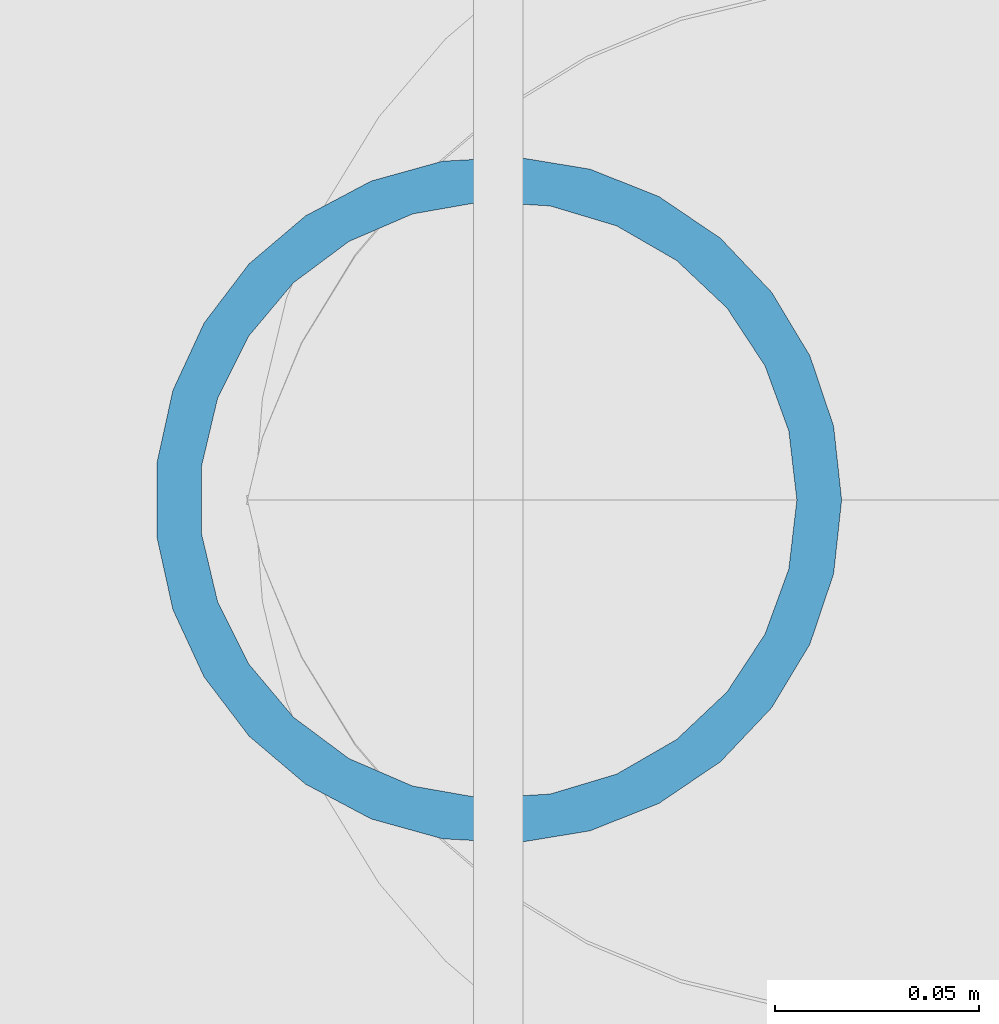
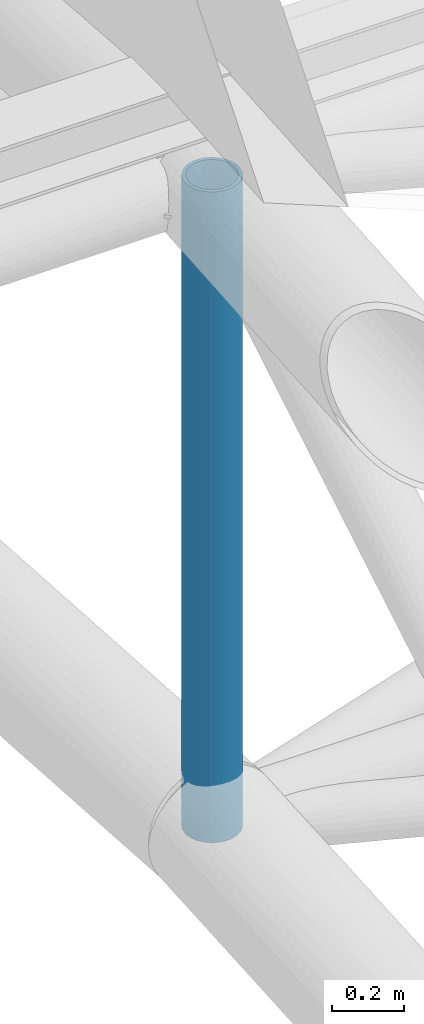
# One storey, part 35 of 110: 1 member.
"""IFC4 building model written with IfcOpenShell, lengths in metres."""

from ifc_helpers import new_model, si_unit, direction, frame, origin, origin_2d, place, context, subcontext, project, spatial, hollow_circle, extrude, material, material_profile, profile_set, type_object, element, save


model = new_model("IFC4")

# Units and contexts
model_context = context("Model", 3, precision=1e-05, world=origin(), true_north=direction((0.0, 1.0)))
body_context = subcontext(model_context, "Body", "Model", "MODEL_VIEW")
ifc_project = project(units=[si_unit("LENGTHUNIT", "METRE"), si_unit("AREAUNIT", "SQUARE_METRE"), si_unit("VOLUMEUNIT", "CUBIC_METRE"), si_unit("PLANEANGLEUNIT", "RADIAN"), si_unit("MASSUNIT", "GRAM", prefix="KILO")], contexts=[model_context])

# Site, building, storey
site_placement = place(None, origin())
site = spatial("IfcSite", under=ifc_project, at=site_placement, CompositionType="ELEMENT")
building_placement = place(site_placement, origin())
building = spatial("IfcBuilding", under=site, at=building_placement, Name="Windward Yard Aquatics Centre", CompositionType="ELEMENT")
storey_placement = place(building_placement, frame((0.0, 0.0, 22.60009765625)))
storey = spatial("IfcBuildingStorey", under=building, at=storey_placement, Name="L05", CompositionType="ELEMENT", Elevation=22.60009765625)

# Member
ifc_material = material(Name="Steel ASTM A500 Gr C", Category="steel")
ifc_material_profile = material_profile(ifc_material, hollow_circle(Radius=0.084228515625, WallThickness=0.010986328125, at=origin_2d()), Name="HSS168.3X11")
ifc_profile_set = profile_set([ifc_material_profile], Name="Steel ASTM A500 Gr C")
member_type = type_object("IfcMemberType", Name="H arch post HSS168.3X11", PredefinedType="POST", material=ifc_profile_set)
member_placement = place(storey_placement, frame((132.0, 61.0, 6.5966796875), z_axis=(0.0, 0.0, 1.0), x_axis=(1.0, 0.0, 0.0)))
element("IfcMember", 1, at=member_placement, inside=storey, type_object=member_type, Name="H.AT.7.WP06", PredefinedType="POST", context=body_context, shape_type="SweptSolid", body=[
    extrude(hollow_circle(Radius=0.084228515625, WallThickness=0.010986328125, at=origin_2d()), origin(), (0.0, 0.0, 1.0), 2.199951171875),
])

save(model, "model.ifc")
